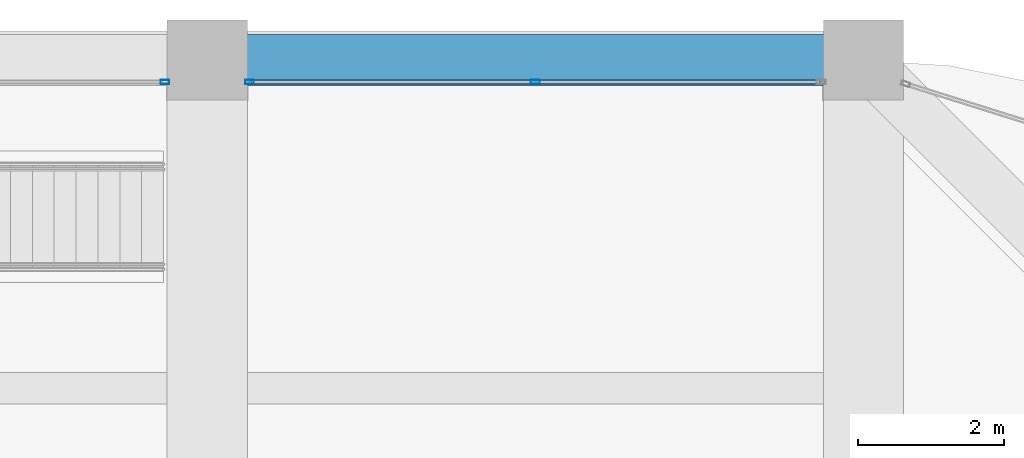
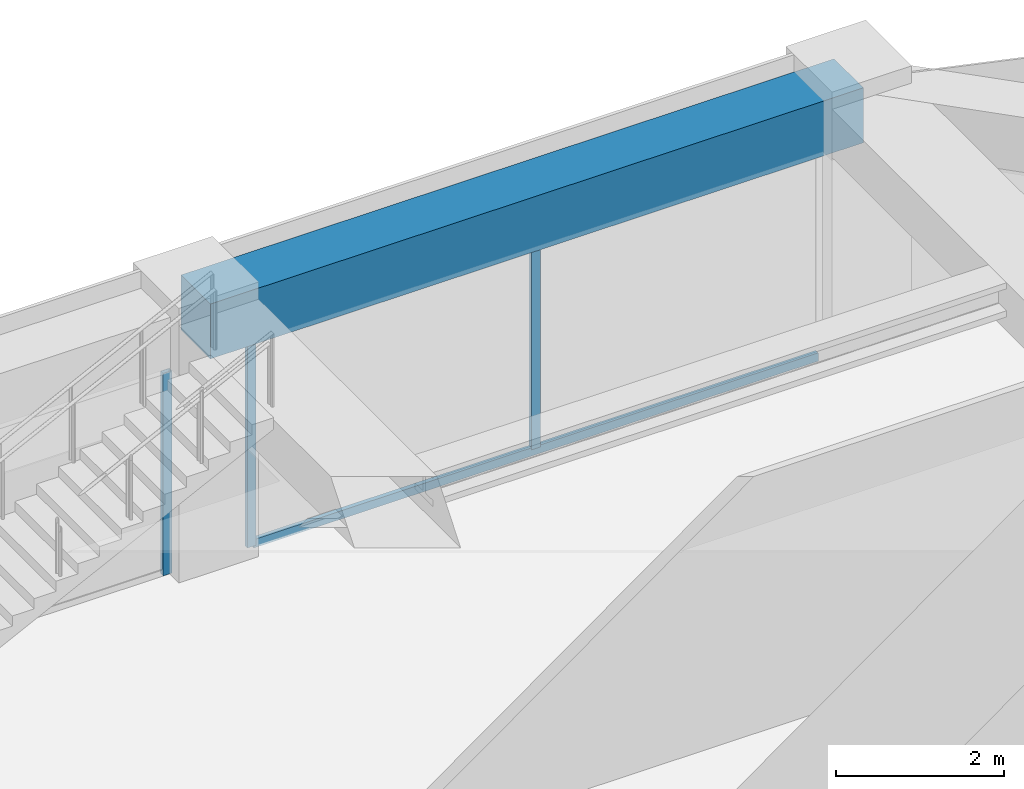
# One storey, part 35 of 45: 4 members, 1 beam, 2 elements without a shape of their own.
"""IFC4 building model written with IfcOpenShell, lengths in metres."""

from ifc_helpers import new_model, si_unit, direction, frame, origin, origin_2d, place, context, subcontext, project, spatial, rectangle, hollow_rectangle, extrude, material, material_profile, profile_set, type_object, element, aggregate, save


model = new_model("IFC4")

# Units and contexts
model_context = context("Model", 3, precision=1e-05, world=origin(), true_north=direction((0.0, 1.0)))
body_context = subcontext(model_context, "Body", "Model", "MODEL_VIEW")
ifc_project = project(units=[si_unit("LENGTHUNIT", "METRE"), si_unit("AREAUNIT", "SQUARE_METRE"), si_unit("VOLUMEUNIT", "CUBIC_METRE"), si_unit("PLANEANGLEUNIT", "RADIAN"), si_unit("MASSUNIT", "GRAM", prefix="KILO")], contexts=[model_context])

# Site, building, storey
site_placement = place(None, origin())
site = spatial("IfcSite", under=ifc_project, at=site_placement, CompositionType="ELEMENT")
building_placement = place(site_placement, origin())
building = spatial("IfcBuilding", under=site, at=building_placement, Name="Zorevar Civic Tower", CompositionType="ELEMENT")
storey_placement = place(building_placement, frame((0.0, 0.0, 291.39990234375)))
storey = spatial("IfcBuildingStorey", under=building, at=storey_placement, Name="L71", CompositionType="ELEMENT", Elevation=291.39990234375)

# Curtain wall, member
ifc_material_1 = material(Name="Dark grey solar-control glass in black aluminium frame", Category="aluminium")
curtain_wall_type = type_object("IfcCurtainWallType", Name="Curtain wall CW5 top zone", PredefinedType="NOTDEFINED", material=ifc_material_1)
curtain_wall_1_placement = place(storey_placement, origin())
curtain_wall_1 = element("IfcCurtainWall", 1, at=curtain_wall_1_placement, inside=storey, type_object=curtain_wall_type, Name="CW5 L71", PredefinedType="NOTDEFINED")
ifc_material_2 = material(Name="Aluminium, black anodised", Category="aluminium")
ifc_material_profile_1 = material_profile(ifc_material_2, hollow_rectangle(XDim=0.06005859375, YDim=0.1201171875, WallThickness=0.0029296875, at=origin_2d()), Name="AL 120x60x3")
ifc_profile_set_1 = profile_set([ifc_material_profile_1], Name="Aluminium, black anodised")
member_type_1 = type_object("IfcMemberType", Name="CW5 mullion AL 120x60x3", PredefinedType="MULLION", material=ifc_profile_set_1)
member_1_placement = place(storey_placement, frame((35.419921875, 44.699951171875, 0.0), z_axis=(0.0, 0.0, 1.0), x_axis=(0.0, 1.0, 0.0)))
member_1 = element("IfcMember", 2, at=member_1_placement, type_object=member_type_1, Name="CW5 mullion 3", PredefinedType="MULLION", context=body_context, shape_type="SweptSolid", body=[
    extrude(hollow_rectangle(XDim=0.06005859375, YDim=0.1201171875, WallThickness=0.0029296875, at=origin_2d()), origin(), (0.0, 0.0, 1.0), 2.9501953125),
])
aggregate(curtain_wall_1, [member_1])

# Curtain wall, members
curtain_wall_2_placement = place(storey_placement, origin())
curtain_wall_2 = element("IfcCurtainWall", 3, at=curtain_wall_2_placement, inside=storey, type_object=curtain_wall_type, Name="CW5 L71", PredefinedType="NOTDEFINED")
member_2_placement = place(storey_placement, frame((36.580078125, 44.699951171875, 0.0), z_axis=(0.0, 0.0, 1.0), x_axis=(0.0, 1.0, 0.0)))
member_2 = element("IfcMember", 4, at=member_2_placement, type_object=member_type_1, Name="CW5 mullion 1", PredefinedType="MULLION", context=body_context, shape_type="SweptSolid", body=[
    extrude(hollow_rectangle(XDim=0.06005859375, YDim=0.1201171875, WallThickness=0.0029296875, at=origin_2d()), origin(), (0.0, 0.0, 1.0), 2.9501953125),
])
member_3_placement = place(storey_placement, frame((40.5, 44.699951171875, 0.06005859375), z_axis=(0.0, 0.0, 1.0), x_axis=(0.0, 1.0, 0.0)))
member_3 = element("IfcMember", 5, at=member_3_placement, type_object=member_type_1, Name="CW5 mullion 2", PredefinedType="MULLION", context=body_context, shape_type="SweptSolid", body=[
    extrude(hollow_rectangle(XDim=0.06005859375, YDim=0.1201171875, WallThickness=0.0029296875, at=origin_2d()), origin(), (0.0, 0.0, 1.0), 2.89013671875),
])
ifc_material_3 = material(Name="Aluminium, black anodised", Category="aluminium")
ifc_material_profile_2 = material_profile(ifc_material_3, hollow_rectangle(XDim=0.06005859375, YDim=0.1201171875, WallThickness=0.0029296875, at=origin_2d()), Name="AL 120x60x3")
ifc_profile_set_2 = profile_set([ifc_material_profile_2], Name="Aluminium, black anodised")
member_type_2 = type_object("IfcMemberType", Name="CW5 transom AL 120x60x3", PredefinedType="USERDEFINED", material=ifc_profile_set_2)
member_4_placement = place(storey_placement, frame((36.610107421875, 44.699951171875, 0.030029296875), z_axis=(1.0, 0.0, 0.0), x_axis=(0.0, 1.0, 0.0)))
member_4 = element("IfcMember", 6, at=member_4_placement, type_object=member_type_2, Name="CW5 sill transom", ObjectType="TRANSOM", PredefinedType="USERDEFINED", context=body_context, shape_type="SweptSolid", body=[
    extrude(hollow_rectangle(XDim=0.06005859375, YDim=0.1201171875, WallThickness=0.0029296875, at=origin_2d()), origin(), (0.0, 0.0, 1.0), 7.77978515625),
])
aggregate(curtain_wall_2, [member_2, member_3, member_4])

# Beam
ifc_material_4 = material(Name="Concrete C50/60", Category="concrete")
ifc_material_profile_3 = material_profile(ifc_material_4, rectangle(XDim=0.699951171875, YDim=0.800048828125, at=origin_2d()), Name="RC 700x800")
ifc_profile_set_3 = profile_set([ifc_material_profile_3], Name="Concrete C50/60")
beam_type = type_object("IfcBeamType", Name="Edge beam RC 700x800", PredefinedType="SPANDREL", material=ifc_profile_set_3)
beam_placement = place(storey_placement, frame((36.0, 45.0, 3.35009765625), z_axis=(1.0, 0.0, 0.0), x_axis=(0.0, 1.0, 0.0)))
element("IfcBeam", 7, at=beam_placement, inside=storey, type_object=beam_type, Name="Edge beam L72", PredefinedType="SPANDREL", context=body_context, shape_type="SweptSolid", body=[
    extrude(rectangle(XDim=0.699951171875, YDim=0.800048828125, at=origin_2d()), origin(), (0.0, 0.0, 1.0), 9.0),
])

save(model, "model.ifc")
